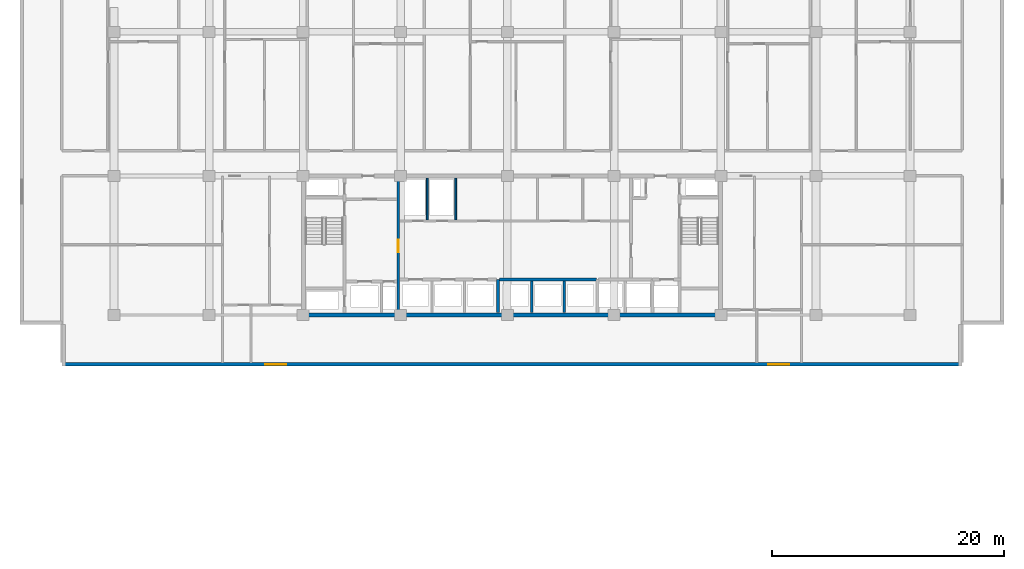
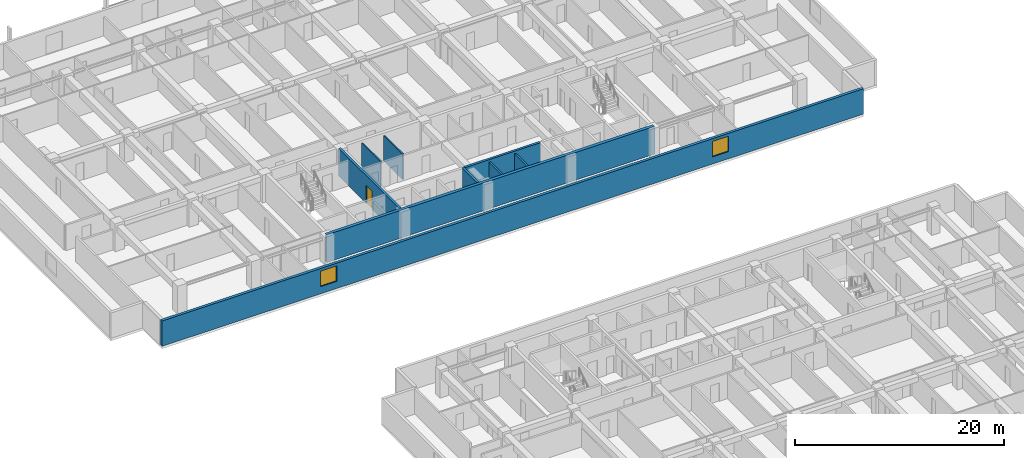
# One storey, part 11 of 23: 9 walls, 2 windows, 1 door, 3 openings.
"""IFC4 building model written with IfcOpenShell, lengths in metres."""

from ifc_helpers import new_model, si_unit, direction, frame, frame_2d, origin, place, context, subcontext, project, spatial, rectangle, extrude, material, layer, layer_set, type_object, element, fill, save


model = new_model("IFC4")

# Units and contexts
model_context = context("Model", 3, precision=1e-05, world=origin(), true_north=direction((0.0, 1.0)))
body_context = subcontext(model_context, "Body", "Model", "MODEL_VIEW")
ifc_project = project(units=[si_unit("LENGTHUNIT", "METRE"), si_unit("AREAUNIT", "SQUARE_METRE"), si_unit("VOLUMEUNIT", "CUBIC_METRE"), si_unit("PLANEANGLEUNIT", "RADIAN"), si_unit("MASSUNIT", "GRAM", prefix="KILO")], contexts=[model_context])

# Site, building, storey
site_placement = place(None, origin())
site = spatial("IfcSite", under=ifc_project, at=site_placement, CompositionType="ELEMENT")
building_placement = place(site_placement, origin())
building = spatial("IfcBuilding", under=site, at=building_placement, Name="Korimba Cascade Residences", CompositionType="ELEMENT")
storey_placement = place(building_placement, frame((0.0, 0.0, 27.25)))
storey = spatial("IfcBuildingStorey", under=building, at=storey_placement, Name="L06", CompositionType="ELEMENT", Elevation=27.25)

# Wall, openings, windows
ifc_material_1 = material(Name="Precast concrete C40/50", Category="concrete")
ifc_layer_1 = layer(ifc_material_1, 0.300048828125)
ifc_layer_set_1 = layer_set([ifc_layer_1], Name="Precast concrete C40/50")
wall_type_1 = type_object("IfcWallType", Name="EW-STONE-300", PredefinedType="STANDARD", material=ifc_layer_set_1)
wall_1_placement = place(storey_placement, frame((55.300048828125, 50.949951171875, 0.0), z_axis=(0.0, 0.0, 1.0), x_axis=(1.0, 0.0, 0.0)))
wall_1 = element("IfcWall", 1, at=wall_1_placement, inside=storey, type_object=wall_type_1, Name="L06 T1 Perimeter Stone Wall E00", PredefinedType="STANDARD", context=body_context, shape_type="SweptSolid", body=[
    extrude(rectangle(XDim=77.599853515625, YDim=0.300048828125, at=frame_2d((38.7998046875, 0.0))), origin(), (0.0, 0.0, 1.0), 2.969970703125),
])
opening_1_placement = place(wall_1_placement, frame((17.52490234375, 0.0, 0.85009765625)))
opening_1 = element("IfcOpeningElement", 2, at=opening_1_placement, cuts=wall_1, Name="Opening W-02", PredefinedType="OPENING", context=body_context, shape_type="SweptSolid", body=[
    extrude(rectangle(XDim=1.800048828125, YDim=1.800048828125, at=frame_2d((0.89990234375, 0.89990234375))), frame((0.0, 0.16015625, 0.0), z_axis=(0.0, -1.0, 0.0), x_axis=(1.0, 0.0, 0.0)), (0.0, 0.0, 1.0), 0.320068359375),
])
opening_2_placement = place(wall_1_placement, frame((60.875, 0.0, 0.85009765625)))
opening_2 = element("IfcOpeningElement", 3, at=opening_2_placement, cuts=wall_1, Name="Opening W-02", PredefinedType="OPENING", context=body_context, shape_type="SweptSolid", body=[
    extrude(rectangle(XDim=1.800048828125, YDim=1.800048828125, at=frame_2d((0.89990234375, 0.89990234375))), frame((0.0, 0.16015625, 0.0), z_axis=(0.0, -1.0, 0.0), x_axis=(1.0, 0.0, 0.0)), (0.0, 0.0, 1.0), 0.320068359375),
])
ifc_material_2 = material(Name="Double-Glazed Aluminium Window", Category="aluminium")
window_type = type_object("IfcWindowType", Name="WIN-BED-1800", PartitioningType="SINGLE_PANEL", PredefinedType="WINDOW", material=ifc_material_2)
window_1_placement = place(opening_1_placement, origin())
window_1 = element("IfcWindow", 4, at=window_1_placement, inside=storey, type_object=window_type, Name="L06 T1 South Corner Bedroom Window 1", OverallHeight=1.800048828125, OverallWidth=1.800048828125, PartitioningType="SINGLE_PANEL", PredefinedType="WINDOW", context=body_context, shape_type="SweptSolid", body=[
    extrude(rectangle(XDim=1.800048828125, YDim=1.800048828125, at=frame_2d((0.89990234375, 0.89990234375))), frame((0.0, 0.030029296875, 0.0), z_axis=(0.0, -1.0, 0.0), x_axis=(1.0, 0.0, 0.0)), (0.0, 0.0, 1.0), 0.06005859375),
])
fill(opening_1, window_1)
window_2_placement = place(opening_2_placement, origin())
window_2 = element("IfcWindow", 5, at=window_2_placement, inside=storey, type_object=window_type, Name="L06 T1 South Corner Bedroom Window 2", OverallHeight=1.800048828125, OverallWidth=1.800048828125, PartitioningType="SINGLE_PANEL", PredefinedType="WINDOW", context=body_context, shape_type="SweptSolid", body=[
    extrude(rectangle(XDim=1.800048828125, YDim=1.800048828125, at=frame_2d((0.89990234375, 0.89990234375))), frame((0.0, 0.030029296875, 0.0), z_axis=(0.0, -1.0, 0.0), x_axis=(1.0, 0.0, 0.0)), (0.0, 0.0, 1.0), 0.06005859375),
])
fill(opening_2, window_2)

# Walls
ifc_material_3 = material(Name="Concrete C65/80", Category="concrete")
ifc_layer_2 = layer(ifc_material_3, 0.35009765625)
ifc_layer_set_2 = layer_set([ifc_layer_2], Name="Concrete C65/80")
wall_type_2 = type_object("IfcWallType", Name="WAL-CORE-350", PredefinedType="SHEAR", material=ifc_layer_set_2)
wall_2_placement = place(storey_placement, frame((75.949951171875, 55.199951171875, 0.0), z_axis=(0.0, 0.0, 1.0), x_axis=(1.0, 0.0, 0.0)))
element("IfcWall", 6, at=wall_2_placement, inside=storey, type_object=wall_type_2, Name="L06 Core Shear Wall CW-L06-T1-S", PredefinedType="SHEAR", context=body_context, shape_type="SweptSolid", body=[
    extrude(rectangle(XDim=36.300048828125, YDim=0.35009765625, at=frame_2d((18.14990234375, 0.0))), origin(), (0.0, 0.0, 1.0), 3.25),
])
ifc_material_4 = material(Name="Insulated Acoustic Stud Partition", Category="gypsum")
ifc_layer_3 = layer(ifc_material_4, 0.14990234375)
ifc_layer_set_3 = layer_set([ifc_layer_3], Name="Insulated Acoustic Stud Partition")
wall_type_3 = type_object("IfcWallType", Name="WAL-PART-150", PredefinedType="PARTITIONING", material=ifc_layer_set_3)
for number, where, z_axis, x_axis, name in (
    (7, (86.800048828125, 63.39990234375, 0.0), (0.0, 0.0, 1.0), (0.0, 1.0, 0.0), "L06 Partition Wall CW-L06-T1-ERDIV"),
    (8, (89.25, 63.39990234375, 0.0), (0.0, 0.0, 1.0), (0.0, 1.0, 0.0), "L06 Partition Wall CW-L06-T1-PRDIV"),
):
    element("IfcWall", number, at=place(storey_placement, frame(where, z_axis=z_axis, x_axis=x_axis)), inside=storey, type_object=wall_type_3, Name=name, PredefinedType="PARTITIONING", context=body_context, shape_type="SweptSolid", body=[
        extrude(rectangle(XDim=3.60009765625, YDim=0.14990234375, at=frame_2d((1.800048828125, 0.0))), origin(), (0.0, 0.0, 1.0), 2.969970703125),
    ])
ifc_material_5 = material(Name="Concrete C40/50", Category="concrete")
ifc_layer_4 = layer(ifc_material_5, 0.199951171875)
ifc_layer_set_4 = layer_set([ifc_layer_4], Name="Concrete C40/50")
wall_type_4 = type_object("IfcWallType", Name="WAL-PART-200", PredefinedType="PARTITIONING", material=ifc_layer_set_4)
for number, where, z_axis, x_axis, name in (
    (9, (95.800048828125, 55.39990234375, 0.0), (0.0, 0.0, 1.0), (0.0, 1.0, 0.0), "L06 Partition Wall CW-L06-T1-B2D1"),
    (10, (98.60009765625, 55.39990234375, 0.0), (0.0, 0.0, 1.0), (0.0, 1.0, 0.0), "L06 Partition Wall CW-L06-T1-B2D2"),
):
    element("IfcWall", number, at=place(storey_placement, frame(where, z_axis=z_axis, x_axis=x_axis)), inside=storey, type_object=wall_type_4, Name=name, PredefinedType="PARTITIONING", context=body_context, shape_type="SweptSolid", body=[
        extrude(rectangle(XDim=2.72021484375, YDim=0.199951171875, at=frame_2d((1.360107421875, 0.0))), origin(), (0.0, 0.0, 1.0), 2.969970703125),
    ])

# Wall, opening, door
ifc_material_6 = material(Name="Concrete C50/60", Category="concrete")
ifc_layer_5 = layer(ifc_material_6, 0.25)
ifc_layer_set_5 = layer_set([ifc_layer_5], Name="Concrete C50/60")
wall_type_5 = type_object("IfcWallType", Name="WAL-SHAFT-250", PredefinedType="SHEAR", material=ifc_layer_set_5)
wall_3_placement = place(storey_placement, frame((84.300048828125, 55.39990234375, 0.0), z_axis=(0.0, 0.0, 1.0), x_axis=(0.0, 1.0, 0.0)))
wall_3 = element("IfcWall", 11, at=wall_3_placement, inside=storey, type_object=wall_type_5, Name="L06 Core Shear Wall CW-L06-T1-FFLE", PredefinedType="SHEAR", context=body_context, shape_type="SweptSolid", body=[
    extrude(rectangle(XDim=11.60009765625, YDim=0.25, at=frame_2d((5.800048828125, 0.0))), origin(), (0.0, 0.0, 1.0), 3.25),
])
opening_3_placement = place(wall_3_placement, frame((5.199951171875, 0.0, 0.0)))
opening_3 = element("IfcOpeningElement", 12, at=opening_3_placement, cuts=wall_3, Name="Opening D-FD1", PredefinedType="OPENING", context=body_context, shape_type="SweptSolid", body=[
    extrude(rectangle(XDim=1.10009765625, YDim=2.10009765625, at=frame_2d((0.550048828125, 1.050048828125))), frame((0.0, 0.135009765625, 0.0), z_axis=(0.0, -1.0, 0.0), x_axis=(1.0, 0.0, 0.0)), (0.0, 0.0, 1.0), 0.27001953125),
])
ifc_material_7 = material(Name="Fire-Rated Steel Core Door", Category="steel")
door_type = type_object("IfcDoorType", Name="DR-FD120-1100", OperationType="NOTDEFINED", PredefinedType="DOOR", material=ifc_material_7)
door_placement = place(opening_3_placement, origin())
door = element("IfcDoor", 13, at=door_placement, inside=storey, type_object=door_type, Name="L06 Firefighting Lobby to Lift Lobby Door", OperationType="SINGLE_SWING_LEFT", OverallHeight=2.10009765625, OverallWidth=1.10009765625, PredefinedType="DOOR", context=body_context, shape_type="SweptSolid", body=[
    extrude(rectangle(XDim=1.10009765625, YDim=2.10009765625, at=frame_2d((0.550048828125, 1.050048828125))), frame((0.0, 0.02490234375, 0.0), z_axis=(0.0, -1.0, 0.0), x_axis=(1.0, 0.0, 0.0)), (0.0, 0.0, 1.0), 0.050048828125),
])
fill(opening_3, door)

# Walls
wall_4_placement = place(storey_placement, frame((92.89990234375, 55.39990234375, 0.0), z_axis=(0.0, 0.0, 1.0), x_axis=(0.0, 1.0, 0.0)))
element("IfcWall", 14, at=wall_4_placement, inside=storey, type_object=wall_type_5, Name="L06 Core Shear Wall CW-L06-T1-B12DIV", PredefinedType="SHEAR", context=body_context, shape_type="SweptSolid", body=[
    extrude(rectangle(XDim=2.85009765625, YDim=0.25, at=frame_2d((1.425048828125, 0.0))), origin(), (0.0, 0.0, 1.0), 3.25),
])
wall_5_placement = place(storey_placement, frame((93.02001953125, 58.25, 0.0), z_axis=(0.0, 0.0, 1.0), x_axis=(1.0, 0.0, 0.0)))
element("IfcWall", 15, at=wall_5_placement, inside=storey, type_object=wall_type_5, Name="L06 Core Shear Wall CW-L06-T1-B2N", PredefinedType="SHEAR", context=body_context, shape_type="SweptSolid", body=[
    extrude(rectangle(XDim=8.35986328125, YDim=0.25, at=frame_2d((4.179931640625, 0.0))), origin(), (0.0, 0.0, 1.0), 3.25),
])

save(model, "model.ifc")
